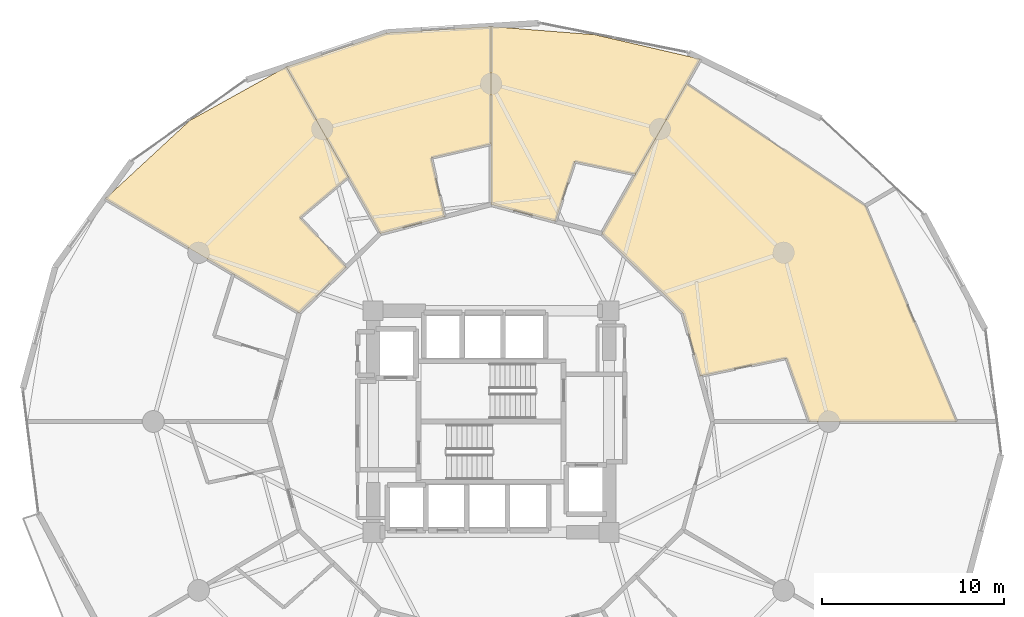
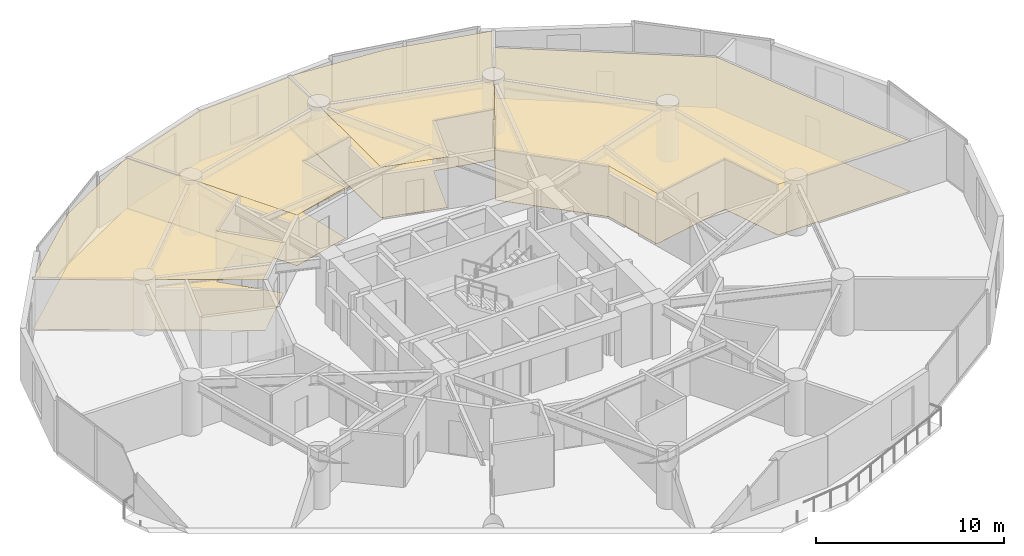
# One storey, part 26 of 26: 8 coverings.
"""IFC4 building model written with IfcOpenShell, lengths in metres."""

from ifc_helpers import new_model, si_unit, direction, frame, origin, place, context, subcontext, project, spatial, polyline, outline, extrude, material, layer, layer_set, type_object, element, save


model = new_model("IFC4")

# Units and contexts
model_context = context("Model", 3, precision=1e-05, world=origin(), true_north=direction((0.0, 1.0)))
body_context = subcontext(model_context, "Body", "Model", "MODEL_VIEW")
ifc_project = project(units=[si_unit("LENGTHUNIT", "METRE"), si_unit("AREAUNIT", "SQUARE_METRE"), si_unit("VOLUMEUNIT", "CUBIC_METRE"), si_unit("PLANEANGLEUNIT", "RADIAN"), si_unit("MASSUNIT", "GRAM", prefix="KILO")], contexts=[model_context])

# Site, building, storey
site_placement = place(None, origin())
site = spatial("IfcSite", under=ifc_project, at=site_placement, CompositionType="ELEMENT")
building_placement = place(site_placement, origin())
building = spatial("IfcBuilding", under=site, at=building_placement, Name="Solvirekh Grand Hotel", CompositionType="ELEMENT")
storey_placement = place(building_placement, frame((0.0, 0.0, 35.60009765625)))
storey = spatial("IfcBuildingStorey", under=building, at=storey_placement, Name="L07", CompositionType="ELEMENT", Elevation=35.60009765625)

# Coverings
ifc_material_1 = material(Name="Acoustic Mineral Ceiling Tile")
ifc_layer_1 = layer(ifc_material_1, 0.02490234375)
ifc_layer_set_1 = layer_set([ifc_layer_1], Name="Acoustic Mineral Ceiling Tile")
covering_type_1 = type_object("IfcCoveringType", Name="Cov_Ceiling_Acoustic", PredefinedType="CEILING", material=ifc_layer_set_1)
covering_1_placement = place(storey_placement, frame((0.0, 0.0, 3.289794921875)))
element("IfcCovering", 1, at=covering_1_placement, inside=storey, type_object=covering_type_1, Name="L07 Executive Suite 0901 Living Room acoustic ceiling", PredefinedType="CEILING", context=body_context, shape_type="SweptSolid", body=[
    extrude(outline(polyline([(16.262939453125, 3.489990234375), (17.510986328125, 0.0), (25.635009765625, 0.0), (20.613037109375, 11.883056640625), (10.760986328125, 18.60888671875), (6.10009765625, 10.34912109375), (10.56591796875, 5.97509765625), (11.513916015625, 2.509033203125), (16.262939453125, 3.489990234375)])), origin(), (0.0, 0.0, 1.0), 0.01806640625),
])
covering_2_placement = place(storey_placement, frame((0.0, 0.0, 3.289794921875)))
element("IfcCovering", 2, at=covering_2_placement, inside=storey, type_object=covering_type_1, Name="L07 Deluxe Guestroom 0902 acoustic ceiling", PredefinedType="CEILING", context=body_context, shape_type="SweptSolid", body=[
    extrude(outline(polyline([(4.60693359375, 14.31494140625), (7.943115234375, 13.614990234375), (11.52001953125, 19.9541015625), (5.70703125, 21.300048828125), (0.0, 21.75), (0.0, 11.949951171875), (3.5380859375, 11.02099609375), (4.60693359375, 14.31494140625)])), origin(), (0.0, 0.0, 1.0), 0.01806640625),
])
covering_3_placement = place(storey_placement, frame((0.0, 0.0, 3.289794921875)))
element("IfcCovering", 3, at=covering_3_placement, inside=storey, type_object=covering_type_1, Name="L07 Deluxe Guestroom 0903 acoustic ceiling", PredefinedType="CEILING", context=body_context, shape_type="SweptSolid", body=[
    extrude(outline(polyline([(-3.301025390625, 14.52197265625), (0.0, 15.281982421875), (0.0, 21.75), (-5.73388671875, 21.39794921875), (-11.27587890625, 19.530029296875), (-6.10009765625, 10.34912109375), (-2.56201171875, 11.278076171875), (-3.301025390625, 14.52197265625)])), origin(), (0.0, 0.0, 1.0), 0.01806640625),
])
covering_4_placement = place(storey_placement, frame((0.0, 0.0, 3.289794921875)))
element("IfcCovering", 4, at=covering_4_placement, inside=storey, type_object=covering_type_1, Name="L07 Deluxe Guestroom 0904 acoustic ceiling", PredefinedType="CEILING", context=body_context, shape_type="SweptSolid", body=[
    extrude(outline(polyline([(-10.52197265625, 11.220947265625), (-7.860107421875, 13.470947265625), (-11.27587890625, 19.530029296875), (-16.58203125, 16.58203125), (-21.24609375, 12.26611328125), (-10.56591796875, 5.97509765625), (-7.97607421875, 8.511962890625), (-10.52197265625, 11.220947265625)])), origin(), (0.0, 0.0, 1.0), 0.01806640625),
])
ifc_material_2 = material(Name="Porcelain Stoneware Flooring", Category="masonry")
ifc_layer_2 = layer(ifc_material_2, 0.030029296875)
ifc_layer_set_2 = layer_set([ifc_layer_2], Name="Porcelain Stoneware Flooring")
covering_type_2 = type_object("IfcCoveringType", Name="Cov_Floor_Stone", PredefinedType="FLOORING", material=ifc_layer_set_2)
covering_5_placement = place(storey_placement, origin())
element("IfcCovering", 5, at=covering_5_placement, inside=storey, type_object=covering_type_2, Name="L07 Executive Suite 0901 Living Room polished granite flooring", PredefinedType="FLOORING", context=body_context, shape_type="SweptSolid", body=[
    extrude(outline(polyline([(16.262939453125, 3.489990234375), (17.510986328125, 0.0), (25.635009765625, 0.0), (20.613037109375, 11.883056640625), (10.760986328125, 18.60888671875), (6.10009765625, 10.34912109375), (10.56591796875, 5.97509765625), (11.513916015625, 2.509033203125), (16.262939453125, 3.489990234375)])), origin(), (0.0, 0.0, 1.0), 0.02001953125),
])
covering_6_placement = place(storey_placement, origin())
element("IfcCovering", 6, at=covering_6_placement, inside=storey, type_object=covering_type_2, Name="L07 Deluxe Guestroom 0902 polished granite flooring", PredefinedType="FLOORING", context=body_context, shape_type="SweptSolid", body=[
    extrude(outline(polyline([(4.60693359375, 14.31494140625), (7.943115234375, 13.614990234375), (11.52001953125, 19.9541015625), (5.70703125, 21.300048828125), (0.0, 21.75), (0.0, 11.949951171875), (3.5380859375, 11.02099609375), (4.60693359375, 14.31494140625)])), origin(), (0.0, 0.0, 1.0), 0.02001953125),
])
covering_7_placement = place(storey_placement, origin())
element("IfcCovering", 7, at=covering_7_placement, inside=storey, type_object=covering_type_2, Name="L07 Deluxe Guestroom 0903 polished granite flooring", PredefinedType="FLOORING", context=body_context, shape_type="SweptSolid", body=[
    extrude(outline(polyline([(-3.301025390625, 14.52197265625), (0.0, 15.281982421875), (0.0, 21.75), (-5.73388671875, 21.39794921875), (-11.27587890625, 19.530029296875), (-6.10009765625, 10.34912109375), (-2.56201171875, 11.278076171875), (-3.301025390625, 14.52197265625)])), origin(), (0.0, 0.0, 1.0), 0.02001953125),
])
covering_8_placement = place(storey_placement, origin())
element("IfcCovering", 8, at=covering_8_placement, inside=storey, type_object=covering_type_2, Name="L07 Deluxe Guestroom 0904 polished granite flooring", PredefinedType="FLOORING", context=body_context, shape_type="SweptSolid", body=[
    extrude(outline(polyline([(-10.52197265625, 11.220947265625), (-7.860107421875, 13.470947265625), (-11.27587890625, 19.530029296875), (-16.58203125, 16.58203125), (-21.24609375, 12.26611328125), (-10.56591796875, 5.97509765625), (-7.97607421875, 8.511962890625), (-10.52197265625, 11.220947265625)])), origin(), (0.0, 0.0, 1.0), 0.02001953125),
])

save(model, "model.ifc")
